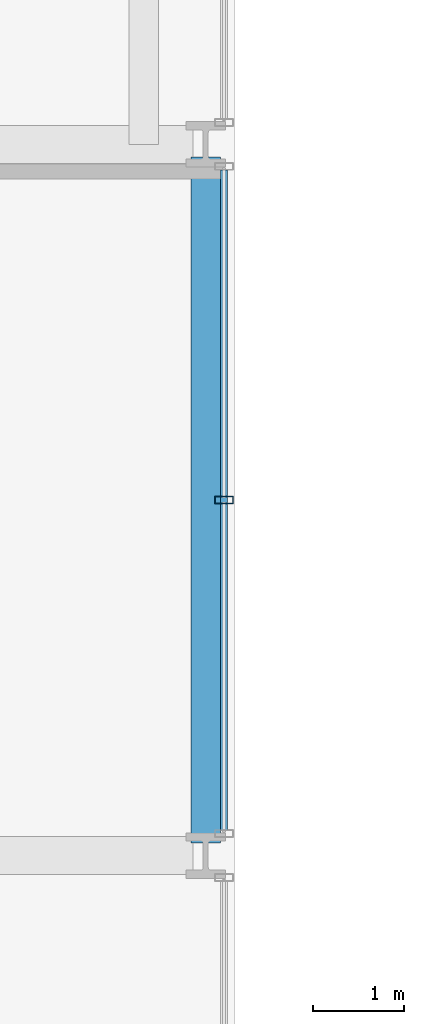
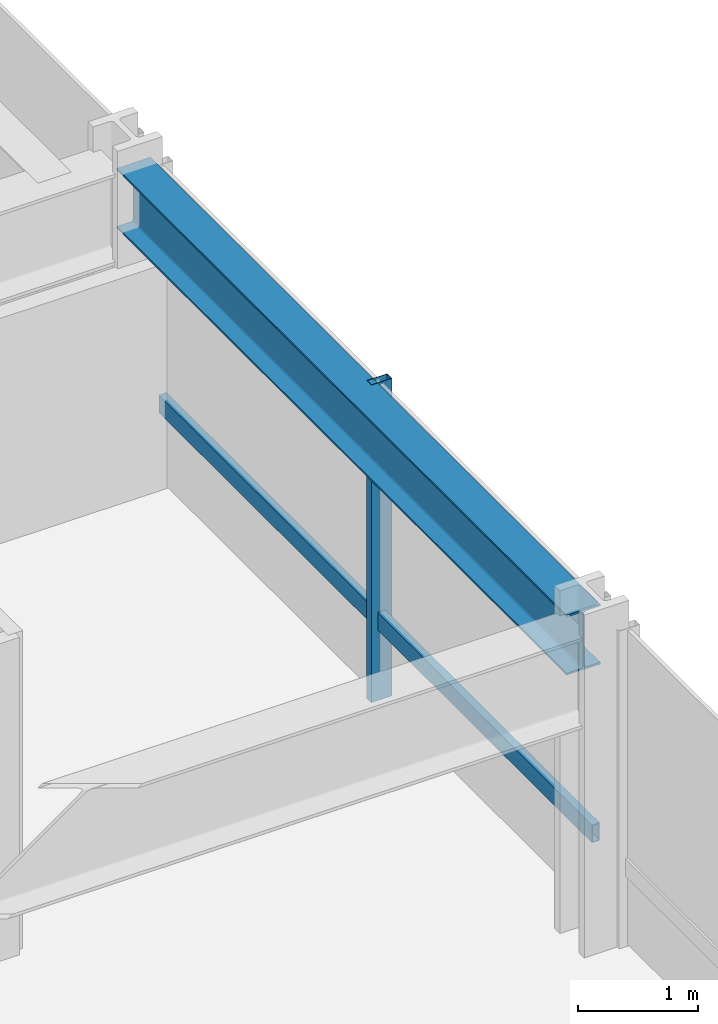
# One storey, part 14 of 38: 2 members, 1 beam, 1 element without a shape of its own.
"""IFC4 building model written with IfcOpenShell, lengths in metres."""

from ifc_helpers import new_model, si_unit, direction, frame, origin, origin_2d, place, context, subcontext, project, spatial, hollow_rectangle, i_section, extrude, material, layer, layer_set, material_profile, profile_set, type_object, element, aggregate, save


model = new_model("IFC4")

# Units and contexts
model_context = context("Model", 3, precision=1e-05, world=origin(), true_north=direction((0.0, 1.0)))
body_context = subcontext(model_context, "Body", "Model", "MODEL_VIEW")
ifc_project = project(units=[si_unit("LENGTHUNIT", "METRE"), si_unit("AREAUNIT", "SQUARE_METRE"), si_unit("VOLUMEUNIT", "CUBIC_METRE"), si_unit("PLANEANGLEUNIT", "RADIAN"), si_unit("MASSUNIT", "GRAM", prefix="KILO")], contexts=[model_context])

# Site, building, storey
site_placement = place(None, origin())
site = spatial("IfcSite", under=ifc_project, at=site_placement, CompositionType="ELEMENT")
building_placement = place(site_placement, origin())
building = spatial("IfcBuilding", under=site, at=building_placement, Name="Drelvath Grand Hotel", CompositionType="ELEMENT")
storey_placement = place(building_placement, frame((0.0, 0.0, 50.699951171875)))
storey = spatial("IfcBuildingStorey", under=building, at=storey_placement, Name="L11", CompositionType="ELEMENT", Elevation=50.699951171875)

# Curtain wall, members
ifc_material_1 = material(Name="Warm Bronze Anodised Aluminium Frame", Category="aluminium")
ifc_layer = layer(ifc_material_1, 0.199951171875)
ifc_layer_set = layer_set([ifc_layer], Name="Warm Bronze Anodised Aluminium Frame")
curtain_wall_type = type_object("IfcCurtainWallType", Name="Stick Curtain Wall CW-02 Warm Bronze Low-Rise", PredefinedType="NOTDEFINED", material=ifc_layer_set)
curtain_wall_placement = place(storey_placement, origin())
curtain_wall = element("IfcCurtainWall", 1, at=curtain_wall_placement, inside=storey, type_object=curtain_wall_type, Name="L11 CW-02 Curtain Wall CW02-L11-ES2", PredefinedType="NOTDEFINED")
ifc_material_profile_1 = material_profile(ifc_material_1, hollow_rectangle(XDim=0.074951171875, YDim=0.179931640625, WallThickness=0.0048828125, at=origin_2d()), Name="HSS180X75X5")
ifc_profile_set_1 = profile_set([ifc_material_profile_1], Name="Warm Bronze Anodised Aluminium Frame")
member_type_1 = type_object("IfcMemberType", Name="Curtain Wall Horizontal Transom CW-02 HSS180X75X5", PredefinedType="USERDEFINED", material=ifc_profile_set_1)
member_1_placement = place(storey_placement, frame((26.8798828125, 18.319091796875, 0.81005859375), z_axis=(0.0, -1.0, 0.0), x_axis=(1.0, 0.0, 0.0)))
member_1 = element("IfcMember", 2, at=member_1_placement, type_object=member_type_1, Name="CW02-L11-ES2 Sill Transom", ObjectType="TRANSOM", PredefinedType="USERDEFINED", context=body_context, shape_type="SweptSolid", body=[
    extrude(hollow_rectangle(XDim=0.074951171875, YDim=0.179931640625, WallThickness=0.0048828125, at=origin_2d()), origin(), (0.0, 0.0, 1.0), 7.23828125),
])
ifc_material_profile_2 = material_profile(ifc_material_1, hollow_rectangle(XDim=0.080078125, YDim=0.199951171875, WallThickness=0.0048828125, at=origin_2d()), Name="HSS200X80X5")
ifc_profile_set_2 = profile_set([ifc_material_profile_2], Name="Warm Bronze Anodised Aluminium Frame")
member_type_2 = type_object("IfcMemberType", Name="Curtain Wall Vertical Mullion CW-02 HSS200X80X5", PredefinedType="MULLION", material=ifc_profile_set_2)
member_2_placement = place(storey_placement, frame((26.8798828125, 14.699951171875, 0.0), z_axis=(0.0, 0.0, 1.0), x_axis=(0.0, 1.0, 0.0)))
member_2 = element("IfcMember", 3, at=member_2_placement, type_object=member_type_2, Name="CW02-L11-ES2 Mullion 2", PredefinedType="MULLION", context=body_context, shape_type="SweptSolid", body=[
    extrude(hollow_rectangle(XDim=0.080078125, YDim=0.199951171875, WallThickness=0.0048828125, at=origin_2d()), origin(), (0.0, 0.0, 1.0), 3.239990234375),
])
aggregate(curtain_wall, [member_2, member_1])

# Beam
ifc_material_2 = material(Name="Steel ASTM A992 Gr 50", Category="steel")
ifc_material_profile_3 = material_profile(ifc_material_2, i_section(OverallWidth=0.323974609375, OverallDepth=0.611083984375, WebThickness=0.0126953125, FlangeThickness=0.01904296875, FilletRadius=0.02197265625, at=origin_2d()), Name="W24X104")
ifc_profile_set_3 = profile_set([ifc_material_profile_3], Name="Steel ASTM A992 Gr 50")
beam_type = type_object("IfcBeamType", Name="Perimeter Spandrel Beam W24X104", PredefinedType="SPANDREL", material=ifc_profile_set_3)
beam_placement = place(storey_placement, frame((26.679931640625, 10.93994140625, 2.9345703125), z_axis=(0.0, 1.0, 0.0), x_axis=(-1.0, 0.0, 0.0)))
element("IfcBeam", 4, at=beam_placement, inside=storey, type_object=beam_type, Name="L11 Spandrel East S", PredefinedType="SPANDREL", context=body_context, shape_type="SweptSolid", body=[
    extrude(i_section(OverallWidth=0.323974609375, OverallDepth=0.611083984375, WebThickness=0.0126953125, FlangeThickness=0.01904296875, FilletRadius=0.02197265625, at=origin_2d()), origin(), (0.0, 0.0, 1.0), 7.52001953125),
])

save(model, "model.ifc")
